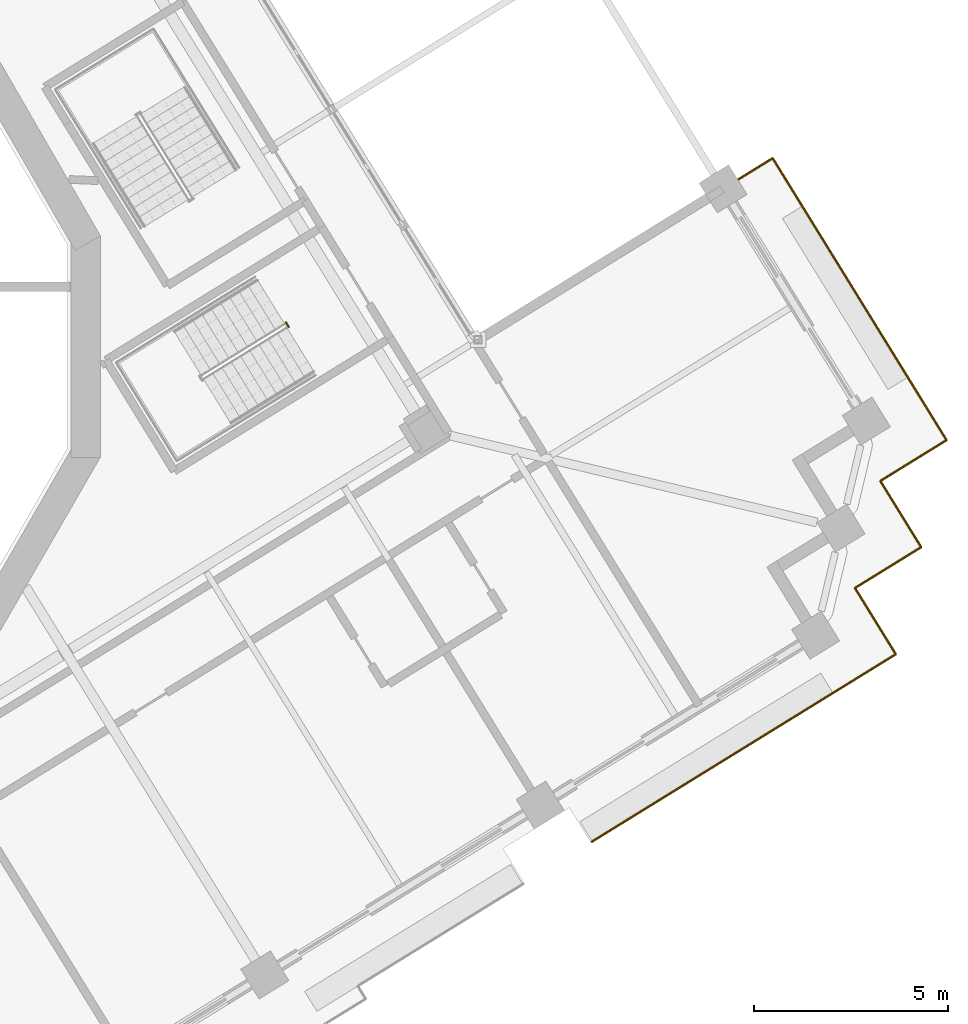
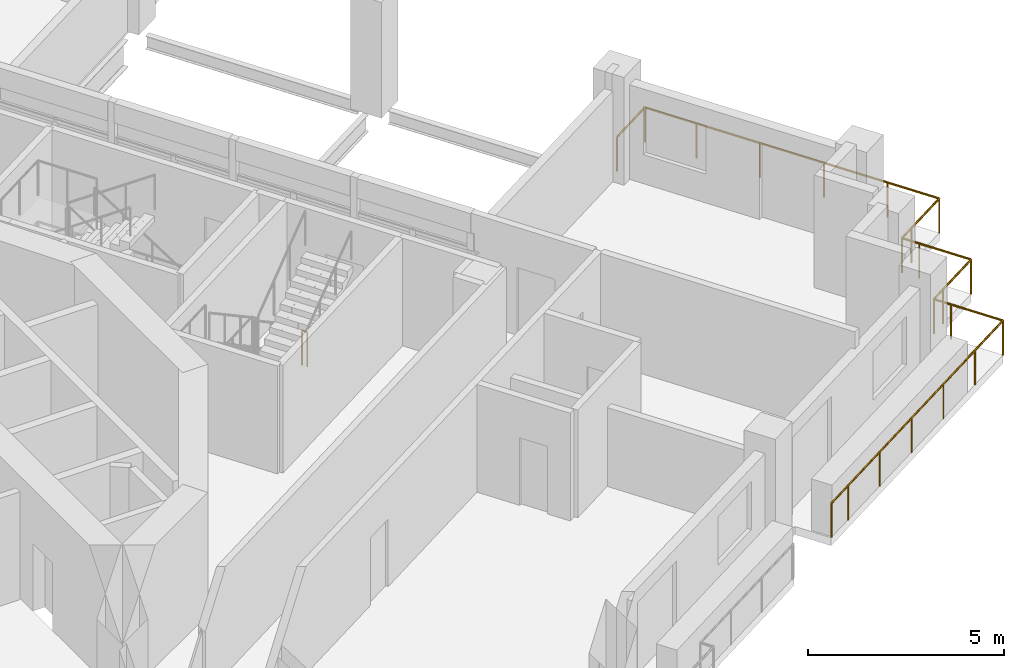
# One storey, part 17 of 21: 3 railings.
"""IFC4 building model written with IfcOpenShell, lengths in metres."""

from ifc_helpers import new_model, si_unit, direction, frame, origin, origin_2d, place, context, subcontext, project, spatial, circle, extrude, material, type_object, element, save


model = new_model("IFC4")

# Units and contexts
model_context = context("Model", 3, precision=1e-05, world=origin(), true_north=direction((0.0, 1.0)))
body_context = subcontext(model_context, "Body", "Model", "MODEL_VIEW")
ifc_project = project(units=[si_unit("LENGTHUNIT", "METRE"), si_unit("AREAUNIT", "SQUARE_METRE"), si_unit("VOLUMEUNIT", "CUBIC_METRE"), si_unit("PLANEANGLEUNIT", "RADIAN"), si_unit("MASSUNIT", "GRAM", prefix="KILO")], contexts=[model_context])

# Site, building, storey
site_placement = place(None, origin())
site = spatial("IfcSite", under=ifc_project, at=site_placement, CompositionType="ELEMENT")
building_placement = place(site_placement, origin())
building = spatial("IfcBuilding", under=site, at=building_placement, Name="Cantera Rosa Tower", CompositionType="ELEMENT")
storey_placement = place(building_placement, frame((0.0, 0.0, 185.60009765625)))
storey = spatial("IfcBuildingStorey", under=building, at=storey_placement, Name="L41", CompositionType="ELEMENT", Elevation=185.60009765625)

# Railings
ifc_material_1 = material(Name="Stainless steel and laminated glass", Category="steel")
railing_type_1 = type_object("IfcRailingType", Name="GUARD 1100", PredefinedType="BALUSTRADE", material=ifc_material_1)
railing_1_placement = place(storey_placement, frame((31.08056640625, -7.911376953125, 0.0)))
element("IfcRailing", 1, at=railing_1_placement, inside=storey, type_object=railing_type_1, Name="GUARD L41-8", PredefinedType="BALUSTRADE", context=body_context, shape_type="SweptSolid", body=[
    extrude(circle(Radius=0.030029296875, at=origin_2d()), frame((0.0, 0.0, 1.070068359375), z_axis=(-0.851138143202, -0.52494176933, 0.0), x_axis=(0.52494176933, -0.851138143202, 0.0)), (0.0, 0.0, 1.0), 1.5),
    extrude(circle(Radius=0.030029296875, at=origin_2d()), frame((-1.276611328125, -0.787353515625, 1.070068359375), z_axis=(-0.851120753703, -0.524969963537, 0.0), x_axis=(0.524969963537, -0.851120753703, 0.0)), (0.0, 0.0, 1.0), 6.820068359375),
    extrude(circle(Radius=0.030029296875, at=origin_2d()), frame((-7.081298828125, -4.36767578125, 1.070068359375), z_axis=(-0.851089370259, -0.525020841331, 0.0), x_axis=(0.525020841331, -0.851089370259, 0.0)), (0.0, 0.0, 1.0), 0.8701171875),
    extrude(circle(Radius=0.02490234375, at=origin_2d()), origin(), (0.0, 0.0, 1.0), 1.0400390625),
    extrude(circle(Radius=0.02490234375, at=origin_2d()), frame((-1.276611328125, -0.787353515625, 0.0)), (0.0, 0.0, 1.0), 1.0400390625),
    extrude(circle(Radius=0.02490234375, at=origin_2d()), frame((-2.727783203125, -1.682373046875, 0.0)), (0.0, 0.0, 1.0), 1.0400390625),
    extrude(circle(Radius=0.02490234375, at=origin_2d()), frame((-4.178955078125, -2.57763671875, 0.0)), (0.0, 0.0, 1.0), 1.0400390625),
    extrude(circle(Radius=0.02490234375, at=origin_2d()), frame((-5.630126953125, -3.47265625, 0.0)), (0.0, 0.0, 1.0), 1.0400390625),
    extrude(circle(Radius=0.02490234375, at=origin_2d()), frame((-7.081298828125, -4.36767578125, 0.0)), (0.0, 0.0, 1.0), 1.0400390625),
    extrude(circle(Radius=0.02490234375, at=origin_2d()), frame((-7.82177734375, -4.824462890625, 0.0)), (0.0, 0.0, 1.0), 1.0400390625),
])
railing_2_placement = place(storey_placement, frame((26.65283203125, 4.067626953125, 0.0)))
element("IfcRailing", 2, at=railing_2_placement, inside=storey, type_object=railing_type_1, Name="GUARD L41-9", PredefinedType="BALUSTRADE", context=body_context, shape_type="SweptSolid", body=[
    extrude(circle(Radius=0.030029296875, at=origin_2d()), frame((0.0, 0.0, 1.070068359375), z_axis=(0.851051697566, 0.525081906058, 0.0), x_axis=(-0.525081906058, 0.851051697566, 0.0)), (0.0, 0.0, 1.0), 1.47998046875),
    extrude(circle(Radius=0.030029296875, at=origin_2d()), frame((1.259521484375, 0.777099609375, 1.070068359375), z_axis=(0.524986950369, -0.851110276017, 0.0), x_axis=(0.851110276017, 0.524986950369, 0.0)), (0.0, 0.0, 1.0), 1.500244140625),
    extrude(circle(Radius=0.030029296875, at=origin_2d()), frame((2.047119140625, -0.499755859375, 1.070068359375), z_axis=(0.524968277683, -0.851121793533, 0.0), x_axis=(0.851121793533, 0.524968277683, 0.0)), (0.0, 0.0, 1.0), 5.519775390625),
    extrude(circle(Radius=0.030029296875, at=origin_2d()), frame((4.94482421875, -5.19775390625, 1.070068359375), z_axis=(0.524986950369, -0.851110276017, 0.0), x_axis=(0.851110276017, 0.524986950369, 0.0)), (0.0, 0.0, 1.0), 1.500244140625),
    extrude(circle(Radius=0.030029296875, at=origin_2d()), frame((5.732421875, -6.474609375, 1.070068359375), z_axis=(-0.85118298814, -0.524869051004, 0.0), x_axis=(0.524869051004, -0.85118298814, 0.0)), (0.0, 0.0, 1.0), 1.5),
    extrude(circle(Radius=0.030029296875, at=origin_2d()), frame((4.45556640625, -7.261962890625, 1.070068359375), z_axis=(-0.851138143202, -0.52494176933, 0.0), x_axis=(0.52494176933, -0.851138143202, 0.0)), (0.0, 0.0, 1.0), 0.5),
    extrude(circle(Radius=0.030029296875, at=origin_2d()), frame((4.030029296875, -7.5244140625, 1.070068359375), z_axis=(0.52494176933, -0.851138143202, 0.0), x_axis=(0.851138143202, 0.52494176933, 0.0)), (0.0, 0.0, 1.0), 0.5),
    extrude(circle(Radius=0.030029296875, at=origin_2d()), frame((4.29248046875, -7.949951171875, 1.070068359375), z_axis=(0.524986950369, -0.851110276017, 0.0), x_axis=(0.851110276017, 0.524986950369, 0.0)), (0.0, 0.0, 1.0), 1.500244140625),
    extrude(circle(Radius=0.030029296875, at=origin_2d()), frame((5.080078125, -9.226806640625, 1.070068359375), z_axis=(-0.851138143202, -0.52494176933, 0.0), x_axis=(0.52494176933, -0.851138143202, 0.0)), (0.0, 0.0, 1.0), 1.5),
    extrude(circle(Radius=0.030029296875, at=origin_2d()), frame((3.803466796875, -10.01416015625, 1.070068359375), z_axis=(-0.851138143202, -0.52494176933, 0.0), x_axis=(0.52494176933, -0.851138143202, 0.0)), (0.0, 0.0, 1.0), 0.5),
    extrude(circle(Radius=0.030029296875, at=origin_2d()), frame((3.3779296875, -10.276611328125, 1.070068359375), z_axis=(0.52494176933, -0.851138143202, 0.0), x_axis=(0.851138143202, 0.52494176933, 0.0)), (0.0, 0.0, 1.0), 0.5),
    extrude(circle(Radius=0.030029296875, at=origin_2d()), frame((3.640380859375, -10.7021484375, 1.070068359375), z_axis=(0.524869051004, -0.85118298814, 0.0), x_axis=(0.85118298814, 0.524869051004, 0.0)), (0.0, 0.0, 1.0), 1.5),
    extrude(circle(Radius=0.02490234375, at=origin_2d()), origin(), (0.0, 0.0, 1.0), 1.0400390625),
    extrude(circle(Radius=0.02490234375, at=origin_2d()), frame((1.259521484375, 0.777099609375, 0.0)), (0.0, 0.0, 1.0), 1.0400390625),
    extrude(circle(Radius=0.02490234375, at=origin_2d()), frame((2.047119140625, -0.499755859375, 0.0)), (0.0, 0.0, 1.0), 1.0400390625),
    extrude(circle(Radius=0.02490234375, at=origin_2d()), frame((3.012939453125, -2.065673828125, 0.0)), (0.0, 0.0, 1.0), 1.0400390625),
    extrude(circle(Radius=0.02490234375, at=origin_2d()), frame((3.97900390625, -3.6318359375, 0.0)), (0.0, 0.0, 1.0), 1.0400390625),
    extrude(circle(Radius=0.02490234375, at=origin_2d()), frame((4.94482421875, -5.19775390625, 0.0)), (0.0, 0.0, 1.0), 1.0400390625),
    extrude(circle(Radius=0.02490234375, at=origin_2d()), frame((5.732421875, -6.474609375, 0.0)), (0.0, 0.0, 1.0), 1.0400390625),
    extrude(circle(Radius=0.02490234375, at=origin_2d()), frame((4.45556640625, -7.261962890625, 0.0)), (0.0, 0.0, 1.0), 1.0400390625),
    extrude(circle(Radius=0.02490234375, at=origin_2d()), frame((4.030029296875, -7.5244140625, 0.0)), (0.0, 0.0, 1.0), 1.0400390625),
    extrude(circle(Radius=0.02490234375, at=origin_2d()), frame((4.29248046875, -7.949951171875, 0.0)), (0.0, 0.0, 1.0), 1.0400390625),
    extrude(circle(Radius=0.02490234375, at=origin_2d()), frame((5.080078125, -9.226806640625, 0.0)), (0.0, 0.0, 1.0), 1.0400390625),
    extrude(circle(Radius=0.02490234375, at=origin_2d()), frame((3.803466796875, -10.01416015625, 0.0)), (0.0, 0.0, 1.0), 1.0400390625),
    extrude(circle(Radius=0.02490234375, at=origin_2d()), frame((3.3779296875, -10.276611328125, 0.0)), (0.0, 0.0, 1.0), 1.0400390625),
    extrude(circle(Radius=0.02490234375, at=origin_2d()), frame((3.640380859375, -10.7021484375, 0.0)), (0.0, 0.0, 1.0), 1.0400390625),
    extrude(circle(Radius=0.02490234375, at=origin_2d()), frame((4.427734375, -11.97900390625, 0.0)), (0.0, 0.0, 1.0), 1.0400390625),
])
ifc_material_2 = material(Name="Steel S355J2 (EN 10025-2)", Category="steel")
railing_type_2 = type_object("IfcRailingType", Name="STAIR GUARD 1100", PredefinedType="GUARDRAIL", material=ifc_material_2)
railing_3_placement = place(storey_placement, frame((15.394775390625, 0.625, 0.0)))
element("IfcRailing", 3, at=railing_3_placement, inside=storey, type_object=railing_type_2, Name="L41 ST-34 stair guard 3", PredefinedType="GUARDRAIL", context=body_context, shape_type="SweptSolid", body=[
    extrude(circle(Radius=0.02392578125, at=origin_2d()), frame((0.0, 0.0, 1.076171875), z_axis=(0.524279100842, -0.851546489876, 0.0), x_axis=(0.851546489876, 0.524279100842, 0.0)), (0.0, 0.0, 1.0), 0.14990234375),
    extrude(circle(Radius=0.02099609375, at=origin_2d()), origin(), (0.0, 0.0, 1.0), 1.052001953125),
    extrude(circle(Radius=0.02099609375, at=origin_2d()), frame((0.07861328125, -0.127685546875, 0.0)), (0.0, 0.0, 1.0), 1.052001953125),
])

save(model, "model.ifc")
